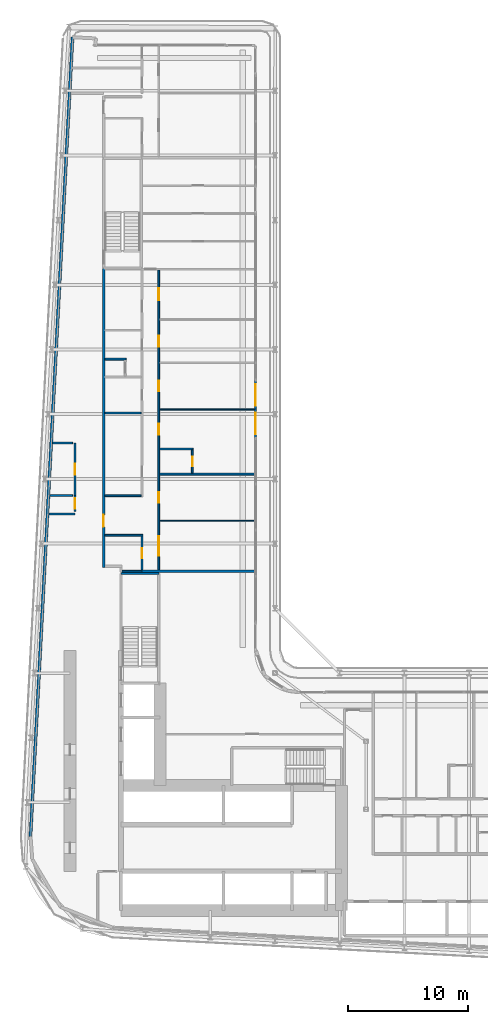
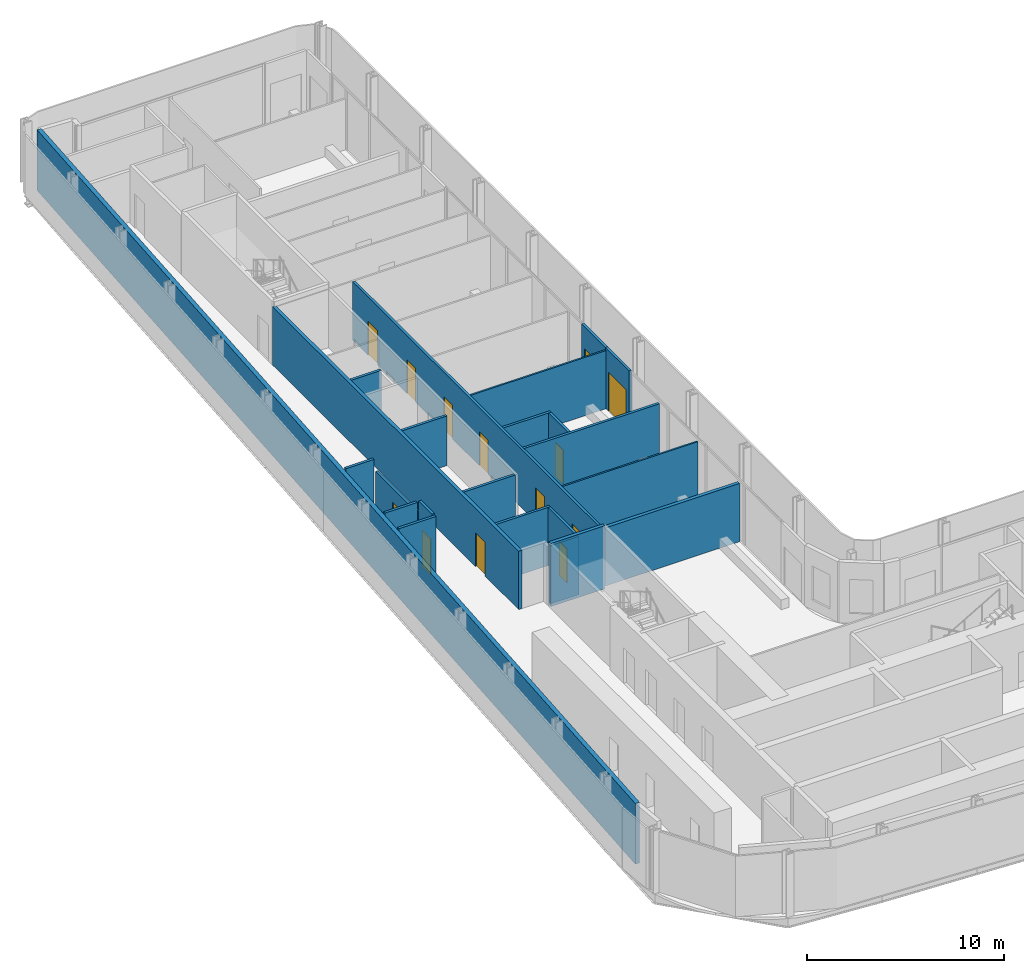
# One storey, part 18 of 29: 23 walls, 13 doors, 13 openings.
"""IFC4 building model written with IfcOpenShell, lengths in metres."""

from ifc_helpers import new_model, si_unit, direction, frame, frame_2d, origin, place, context, subcontext, project, spatial, rectangle, extrude, source, transform, mapped, material, layer, layer_set, type_object, element, fill, save


model = new_model("IFC4")

# Units and contexts
model_context = context("Model", 3, precision=1e-05, world=origin(), true_north=direction((0.0, 1.0)))
body_context = subcontext(model_context, "Body", "Model", "MODEL_VIEW")
ifc_project = project(units=[si_unit("LENGTHUNIT", "METRE"), si_unit("AREAUNIT", "SQUARE_METRE"), si_unit("VOLUMEUNIT", "CUBIC_METRE"), si_unit("PLANEANGLEUNIT", "RADIAN"), si_unit("MASSUNIT", "GRAM", prefix="KILO")], contexts=[model_context])

# Site, building, storey
site_placement = place(None, origin())
site = spatial("IfcSite", under=ifc_project, at=site_placement, CompositionType="ELEMENT")
building_placement = place(site_placement, origin())
building = spatial("IfcBuilding", under=site, at=building_placement, Name="Kheshtan School and Residences Tower", CompositionType="ELEMENT")
storey_placement = place(building_placement, frame((0.0, 0.0, 61.699951171875)))
storey = spatial("IfcBuildingStorey", under=building, at=storey_placement, Name="L14", CompositionType="ELEMENT", Elevation=61.699951171875)

# Wall, opening, door
ifc_material_1 = material(Name="Gypsum board on steel studs with fire boards", Category="steel")
ifc_layer_1 = layer(ifc_material_1, 0.199951171875)
ifc_layer_set_1 = layer_set([ifc_layer_1], Name="Corridor wall 200")
wall_type_1 = type_object("IfcWallType", Name="Corridor wall 200", PredefinedType="PARTITIONING", material=ifc_layer_set_1)
wall_1_placement = place(storey_placement, frame((33.300048828125, 54.39990234375, 0.0), z_axis=(0.0, 0.0, 1.0), x_axis=(0.0, 1.0, 0.0)))
wall_1 = element("IfcWall", 1, at=wall_1_placement, inside=storey, type_object=wall_type_1, Name="Partition L14-003", PredefinedType="PARTITIONING", context=body_context, shape_type="SweptSolid", body=[
    extrude(rectangle(XDim=24.9501953125, YDim=0.199951171875, at=frame_2d((12.47509765625, 0.0))), origin(), (0.0, 0.0, 1.0), 3.60009765625),
])
opening_1_placement = place(wall_1_placement, frame((3.39990234375, 0.0, 0.0)))
opening_1 = element("IfcOpeningElement", 2, at=opening_1_placement, cuts=wall_1, Name="Opening D14-039", PredefinedType="OPENING", context=body_context, shape_type="SweptSolid", body=[
    extrude(rectangle(XDim=1.0, YDim=2.10009765625, at=frame_2d((0.5, 1.050048828125))), frame((0.0, 0.10986328125, 0.0), z_axis=(0.0, -1.0, 0.0), x_axis=(1.0, 0.0, 0.0)), (0.0, 0.0, 1.0), 0.219970703125),
])
ifc_material_2 = material(Name="Steel-framed fire-resisting door leaf", Category="steel")
door_type_1 = type_object("IfcDoorType", Name="Fire door FD30S 1000 x 2100", OperationType="SINGLE_SWING_LEFT", PredefinedType="DOOR", material=ifc_material_2)
shared_shape_1 = source(origin(), body_context, "Body", "SweptSolid", [
    extrude(rectangle(XDim=1.0, YDim=2.10009765625, at=frame_2d((0.5, 1.050048828125))), frame((0.0, 0.02490234375, 0.0), z_axis=(0.0, -1.0, 0.0), x_axis=(1.0, 0.0, 0.0)), (0.0, 0.0, 1.0), 0.050048828125),
])
door_1_placement = place(opening_1_placement, origin())
door_1 = element("IfcDoor", 3, at=door_1_placement, inside=storey, type_object=door_type_1, Name="Door D14-039", OperationType="SINGLE_SWING_RIGHT", OverallHeight=2.10009765625, OverallWidth=1.0, PredefinedType="DOOR", context=body_context, shape_type="MappedRepresentation", body=[
    mapped(shared_shape_1, transform((0.0, 0.0, 0.0), x_axis=(1.0, 0.0, 0.0), y_axis=(0.0, 1.0, 0.0), z_axis=(0.0, 0.0, 1.0), scale=1.0)),
])
fill(opening_1, door_1)

# Wall
ifc_material_3 = material(Name="Concrete C40/50 with ceramic cladding and mineral wool insulation", Category="concrete")
ifc_layer_2 = layer(ifc_material_3, 0.25)
ifc_layer_set_2 = layer_set([ifc_layer_2], Name="External wall 250 ceramic clad")
wall_type_2 = type_object("IfcWallType", Name="External wall 250 ceramic clad", PredefinedType="SOLIDWALL", material=ifc_layer_set_2)
wall_2_placement = place(storey_placement, frame((27.195068359375, 31.968994140625, 0.0), z_axis=(0.0, 0.0, 1.0), x_axis=(0.052554995867, 0.998618031286, 0.0)))
element("IfcWall", 4, at=wall_2_placement, inside=storey, type_object=wall_type_2, Name="External wall L14 4", PredefinedType="SOLIDWALL", context=body_context, shape_type="SweptSolid", body=[
    extrude(rectangle(XDim=66.787353515625, YDim=0.25, at=frame_2d((33.3935546875, 0.0))), origin(), (0.0, 0.0, 1.0), 3.75),
])

# Wall, opening, door
ifc_material_4 = material(Name="Aluminium frame wall with insulated infill", Category="aluminium")
ifc_layer_3 = layer(ifc_material_4, 0.14990234375)
ifc_layer_set_3 = layer_set([ifc_layer_3], Name="Glazing frame wall 150")
wall_type_3 = type_object("IfcWallType", Name="Glazing frame wall 150", PredefinedType="SOLIDWALL", material=ifc_layer_set_3)
wall_3_placement = place(storey_placement, frame((45.97509765625, 70.01806640625, 0.0), z_axis=(0.0, 0.0, 1.0), x_axis=(0.0, -1.0, 0.0)))
wall_3 = element("IfcWall", 5, at=wall_3_placement, inside=storey, type_object=wall_type_3, Name="Balcony door wall L14 8.3", PredefinedType="SOLIDWALL", context=body_context, shape_type="SweptSolid", body=[
    extrude(rectangle(XDim=2.400146484375, YDim=0.14990234375, at=frame_2d((1.2001953125, 0.0))), origin(), (0.0, 0.0, 1.0), 3.75),
])
opening_2_placement = place(wall_3_placement, frame((0.300048828125, 0.0, 0.0)))
opening_2 = element("IfcOpeningElement", 6, at=opening_2_placement, cuts=wall_3, Name="Opening BD", PredefinedType="OPENING", context=body_context, shape_type="SweptSolid", body=[
    extrude(rectangle(XDim=1.800048828125, YDim=2.39990234375, at=frame_2d((0.89990234375, 1.199951171875))), frame((0.0, 0.0849609375, 0.0), z_axis=(0.0, -1.0, 0.0), x_axis=(1.0, 0.0, 0.0)), (0.0, 0.0, 1.0), 0.169921875),
])
ifc_material_5 = material(Name="Clear low-e glass in thermally broken aluminium frame", Category="aluminium")
door_type_2 = type_object("IfcDoorType", Name="Balcony sliding door", OperationType="SLIDING_TO_LEFT", PredefinedType="DOOR", material=ifc_material_5)
shared_shape_2 = source(origin(), body_context, "Body", "SweptSolid", [
    extrude(rectangle(XDim=1.800048828125, YDim=2.39990234375, at=frame_2d((0.89990234375, 1.199951171875))), frame((0.0, 0.02490234375, 0.0), z_axis=(0.0, -1.0, 0.0), x_axis=(1.0, 0.0, 0.0)), (0.0, 0.0, 1.0), 0.050048828125),
])
door_2_placement = place(opening_2_placement, origin())
door_2 = element("IfcDoor", 7, at=door_2_placement, inside=storey, type_object=door_type_2, Name="Balcony door L14 8.3", OperationType="SLIDING_TO_LEFT", OverallHeight=2.39990234375, OverallWidth=1.800048828125, PredefinedType="DOOR", context=body_context, shape_type="MappedRepresentation", body=[
    mapped(shared_shape_2, transform((0.0, 0.0, 0.0), x_axis=(1.0, 0.0, 0.0), y_axis=(0.0, 1.0, 0.0), z_axis=(0.0, 0.0, 1.0), scale=1.0)),
])
fill(opening_2, door_2)

wall_4_placement = place(storey_placement, frame((45.97509765625, 67.617919921875, 0.0), z_axis=(0.0, 0.0, 1.0), x_axis=(0.0, -1.0, 0.0)))
wall_4 = element("IfcWall", 8, at=wall_4_placement, inside=storey, type_object=wall_type_3, Name="Balcony door wall L14 8.4", PredefinedType="SOLIDWALL", context=body_context, shape_type="SweptSolid", body=[
    extrude(rectangle(XDim=2.39990234375, YDim=0.14990234375, at=frame_2d((1.199951171875, 0.0))), origin(), (0.0, 0.0, 1.0), 3.75),
])
opening_3_placement = place(wall_4_placement, frame((0.300048828125, 0.0, 0.0)))
opening_3 = element("IfcOpeningElement", 9, at=opening_3_placement, cuts=wall_4, Name="Opening BD", PredefinedType="OPENING", context=body_context, shape_type="SweptSolid", body=[
    extrude(rectangle(XDim=1.800048828125, YDim=2.39990234375, at=frame_2d((0.89990234375, 1.199951171875))), frame((0.0, 0.0849609375, 0.0), z_axis=(0.0, -1.0, 0.0), x_axis=(1.0, 0.0, 0.0)), (0.0, 0.0, 1.0), 0.169921875),
])
door_3_placement = place(opening_3_placement, origin())
door_3 = element("IfcDoor", 10, at=door_3_placement, inside=storey, type_object=door_type_2, Name="Balcony door L14 8.4", OperationType="SLIDING_TO_LEFT", OverallHeight=2.39990234375, OverallWidth=1.800048828125, PredefinedType="DOOR", context=body_context, shape_type="MappedRepresentation", body=[
    mapped(shared_shape_2, transform((0.0, 0.0, 0.0), x_axis=(1.0, 0.0, 0.0), y_axis=(0.0, 1.0, 0.0), z_axis=(0.0, 0.0, 1.0), scale=1.0)),
])
fill(opening_3, door_3)

# Walls
ifc_material_6 = material(Name="Gypsum board on steel studs", Category="steel")
ifc_layer_4 = layer(ifc_material_6, 0.10009765625)
ifc_layer_set_4 = layer_set([ifc_layer_4], Name="Gypsum partition 100")
wall_type_4 = type_object("IfcWallType", Name="Gypsum partition 100", PredefinedType="PARTITIONING", material=ifc_layer_set_4)
for number, where, z_axis, x_axis, name in (
    (11, (37.97509765625, 58.300048828125, 0.0), (0.0, 0.0, 1.0), (1.0, 0.0, 0.0), "Partition L14-030"),
    (12, (37.97509765625, 67.60009765625, 0.0), (0.0, 0.0, 1.0), (1.0, 0.0, 0.0), "Partition L14-033"),
):
    element("IfcWall", number, at=place(storey_placement, frame(where, z_axis=z_axis, x_axis=x_axis)), inside=storey, type_object=wall_type_4, Name=name, PredefinedType="PARTITIONING", context=body_context, shape_type="SweptSolid", body=[
        extrude(rectangle(XDim=7.9248046875, YDim=0.10009765625, at=frame_2d((3.96240234375, 0.0))), origin(), (0.0, 0.0, 1.0), 3.60009765625),
    ])
ifc_material_7 = material(Name="Fire-board shaft wall system")
ifc_layer_5 = layer(ifc_material_7, 0.14990234375)
ifc_layer_set_5 = layer_set([ifc_layer_5], Name="Service room wall 150")
wall_type_5 = type_object("IfcWallType", Name="Service room wall 150", PredefinedType="PARTITIONING", material=ifc_layer_set_5)
wall_5_placement = place(storey_placement, frame((28.738037109375, 58.8720703125, 0.0), z_axis=(0.0, 0.0, 1.0), x_axis=(1.0, 0.0, 0.0)))
element("IfcWall", 13, at=wall_5_placement, inside=storey, type_object=wall_type_5, Name="Service room wall", PredefinedType="PARTITIONING", context=body_context, shape_type="SweptSolid", body=[
    extrude(rectangle(XDim=2.161865234375, YDim=0.14990234375, at=frame_2d((1.0810546875, 0.0))), origin(), (0.0, 0.0, 1.0), 3.900146484375),
])

# Wall, opening, door
wall_6_placement = place(storey_placement, frame((30.89990234375, 59.06689453125, 0.0), z_axis=(0.0, 0.0, 1.0), x_axis=(0.0, 1.0, 0.0)))
wall_6 = element("IfcWall", 14, at=wall_6_placement, inside=storey, type_object=wall_type_5, Name="Service room wall", PredefinedType="PARTITIONING", context=body_context, shape_type="SweptSolid", body=[
    extrude(rectangle(XDim=1.34716796875, YDim=0.14990234375, at=frame_2d((0.673583984375, 0.0))), origin(), (0.0, 0.0, 1.0), 3.900146484375),
])
opening_4_placement = place(wall_6_placement, frame((0.22607421875, 0.0, 0.0)))
opening_4 = element("IfcOpeningElement", 15, at=opening_4_placement, cuts=wall_6, Name="Opening SR90", PredefinedType="OPENING", context=body_context, shape_type="SweptSolid", body=[
    extrude(rectangle(XDim=0.89990234375, YDim=2.199951171875, at=frame_2d((0.449951171875, 1.10009765625))), frame((0.0, 0.0849609375, 0.0), z_axis=(0.0, -1.0, 0.0), x_axis=(1.0, 0.0, 0.0)), (0.0, 0.0, 1.0), 0.169921875),
])
ifc_material_8 = material(Name="Steel door leaf, galvanised", Category="steel")
door_type_3 = type_object("IfcDoorType", Name="Service room door 900 steel 90 min", OperationType="SINGLE_SWING_LEFT", PredefinedType="DOOR", material=ifc_material_8)
shared_shape_3 = source(origin(), body_context, "Body", "SweptSolid", [
    extrude(rectangle(XDim=0.89990234375, YDim=2.199951171875, at=frame_2d((0.449951171875, 1.10009765625))), frame((0.0, 0.02490234375, 0.0), z_axis=(0.0, -1.0, 0.0), x_axis=(1.0, 0.0, 0.0)), (0.0, 0.0, 1.0), 0.050048828125),
])
door_4_placement = place(opening_4_placement, origin())
door_4 = element("IfcDoor", 16, at=door_4_placement, inside=storey, type_object=door_type_3, Name="Service room door", OperationType="SINGLE_SWING_LEFT", OverallHeight=2.199951171875, OverallWidth=0.89990234375, PredefinedType="DOOR", context=body_context, shape_type="MappedRepresentation", body=[
    mapped(shared_shape_3, transform((0.0, 0.0, 0.0), x_axis=(1.0, 0.0, 0.0), y_axis=(0.0, 1.0, 0.0), z_axis=(0.0, 0.0, 1.0), scale=1.0)),
])
fill(opening_4, door_4)

# Wall
wall_7_placement = place(storey_placement, frame((28.820068359375, 60.4140625, 0.0), z_axis=(0.0, 0.0, 1.0), x_axis=(1.0, 0.0, 0.0)))
element("IfcWall", 17, at=wall_7_placement, inside=storey, type_object=wall_type_5, Name="Service room wall", PredefinedType="PARTITIONING", context=body_context, shape_type="SweptSolid", body=[
    extrude(rectangle(XDim=1.885009765625, YDim=0.14990234375, at=frame_2d((0.9423828125, 0.0))), origin(), (0.0, 0.0, 1.0), 3.900146484375),
])

# Wall, opening, door
wall_8_placement = place(storey_placement, frame((30.89990234375, 60.4140625, 0.0), z_axis=(0.0, 0.0, 1.0), x_axis=(0.0, 1.0, 0.0)))
wall_8 = element("IfcWall", 18, at=wall_8_placement, inside=storey, type_object=wall_type_5, Name="Service room wall", PredefinedType="PARTITIONING", context=body_context, shape_type="SweptSolid", body=[
    extrude(rectangle(XDim=4.385986328125, YDim=0.14990234375, at=frame_2d((2.19287109375, 0.0))), origin(), (0.0, 0.0, 1.0), 3.072021484375),
])
opening_5_placement = place(wall_8_placement, frame((1.742919921875, 0.0, 0.0)))
opening_5 = element("IfcOpeningElement", 19, at=opening_5_placement, cuts=wall_8, Name="Opening SR90", PredefinedType="OPENING", context=body_context, shape_type="SweptSolid", body=[
    extrude(rectangle(XDim=0.89990234375, YDim=2.199951171875, at=frame_2d((0.449951171875, 1.10009765625))), frame((0.0, 0.0849609375, 0.0), z_axis=(0.0, -1.0, 0.0), x_axis=(1.0, 0.0, 0.0)), (0.0, 0.0, 1.0), 0.169921875),
])
door_5_placement = place(opening_5_placement, origin())
door_5 = element("IfcDoor", 20, at=door_5_placement, inside=storey, type_object=door_type_3, Name="Service room door", OperationType="SINGLE_SWING_LEFT", OverallHeight=2.199951171875, OverallWidth=0.89990234375, PredefinedType="DOOR", context=body_context, shape_type="MappedRepresentation", body=[
    mapped(shared_shape_3, transform((0.0, 0.0, 0.0), x_axis=(1.0, 0.0, 0.0), y_axis=(0.0, 1.0, 0.0), z_axis=(0.0, 0.0, 1.0), scale=1.0)),
])
fill(opening_5, door_5)

# Walls
wall_9_placement = place(storey_placement, frame((29.050048828125, 64.800048828125, 0.0), z_axis=(0.0, 0.0, 1.0), x_axis=(1.0, 0.0, 0.0)))
element("IfcWall", 21, at=wall_9_placement, inside=storey, type_object=wall_type_5, Name="Service room wall", PredefinedType="PARTITIONING", context=body_context, shape_type="SweptSolid", body=[
    extrude(rectangle(XDim=1.655029296875, YDim=0.14990234375, at=frame_2d((0.82763671875, 0.0))), origin(), (0.0, 0.0, 1.0), 3.900146484375),
])
ifc_material_9 = material(Name="Concrete C40/50", Category="concrete")
ifc_layer_6 = layer(ifc_material_9, 0.199951171875)
ifc_layer_set_6 = layer_set([ifc_layer_6], Name="Stair enclosure wall 200 Concrete C40/50")
wall_type_6 = type_object("IfcWallType", Name="Stair enclosure wall 200 Concrete C40/50", PredefinedType="SHEAR", material=ifc_layer_set_6)
wall_10_placement = place(storey_placement, frame((34.75, 53.909912109375, 0.0), z_axis=(0.0, 0.0, 1.0), x_axis=(1.0, 0.0, 0.0)))
element("IfcWall", 22, at=wall_10_placement, inside=storey, type_object=wall_type_6, Name="Stair enclosure wall ST2", PredefinedType="SHEAR", context=body_context, shape_type="SweptSolid", body=[
    extrude(rectangle(XDim=3.14990234375, YDim=0.199951171875, at=frame_2d((1.574951171875, 0.0))), origin(), (0.0, 0.0, 1.0), 3.900146484375),
])
ifc_material_10 = material(Name="Twin gypsum board on steel studs with mineral wool", Category="steel")
ifc_layer_7 = layer(ifc_material_10, 0.199951171875)
ifc_layer_set_7 = layer_set([ifc_layer_7], Name="Unit demising wall 200")
wall_type_7 = type_object("IfcWallType", Name="Unit demising wall 200", PredefinedType="PARTITIONING", material=ifc_layer_set_7)
wall_11_placement = place(storey_placement, frame((36.5, 54.10009765625, 0.0), z_axis=(0.0, 0.0, 1.0), x_axis=(1.0, 0.0, 0.0)))
element("IfcWall", 23, at=wall_11_placement, inside=storey, type_object=wall_type_7, Name="Partition L14-019", PredefinedType="PARTITIONING", context=body_context, shape_type="SweptSolid", body=[
    extrude(rectangle(XDim=9.39990234375, YDim=0.199951171875, at=frame_2d((4.699951171875, 0.0))), origin(), (0.0, 0.0, 1.0), 3.60009765625),
])
ifc_material_11 = material(Name="Moisture-resistant gypsum board on steel studs", Category="steel")
ifc_layer_8 = layer(ifc_material_11, 0.14990234375)
ifc_layer_set_8 = layer_set([ifc_layer_8], Name="Wet-room partition 150")
wall_type_8 = type_object("IfcWallType", Name="Wet-room partition 150", PredefinedType="PARTITIONING", material=ifc_layer_set_8)
wall_12_placement = place(storey_placement, frame((33.39990234375, 57.10009765625, 0.0), z_axis=(0.0, 0.0, 1.0), x_axis=(1.0, 0.0, 0.0)))
element("IfcWall", 24, at=wall_12_placement, inside=storey, type_object=wall_type_8, Name="Partition L14-006", PredefinedType="PARTITIONING", context=body_context, shape_type="SweptSolid", body=[
    extrude(rectangle(XDim=3.175048828125, YDim=0.14990234375, at=frame_2d((1.58740234375, 0.0))), origin(), (0.0, 0.0, 1.0), 3.60009765625),
])
wall_13_placement = place(storey_placement, frame((33.39990234375, 60.39990234375, 0.0), z_axis=(0.0, 0.0, 1.0), x_axis=(1.0, 0.0, 0.0)))
element("IfcWall", 25, at=wall_13_placement, inside=storey, type_object=wall_type_8, Name="Partition L14-007", PredefinedType="PARTITIONING", context=body_context, shape_type="SweptSolid", body=[
    extrude(rectangle(XDim=3.025146484375, YDim=0.14990234375, at=frame_2d((1.5126953125, 0.0))), origin(), (0.0, 0.0, 1.0), 3.60009765625),
])
wall_14_placement = place(storey_placement, frame((33.39990234375, 67.300048828125, 0.0), z_axis=(0.0, 0.0, 1.0), x_axis=(1.0, 0.0, 0.0)))
element("IfcWall", 26, at=wall_14_placement, inside=storey, type_object=wall_type_8, Name="Partition L14-008", PredefinedType="PARTITIONING", context=body_context, shape_type="SweptSolid", body=[
    extrude(rectangle(XDim=3.025146484375, YDim=0.14990234375, at=frame_2d((1.5126953125, 0.0))), origin(), (0.0, 0.0, 1.0), 3.072021484375),
])
wall_15_placement = place(storey_placement, frame((33.39990234375, 71.800048828125, 0.0), z_axis=(0.0, 0.0, 1.0), x_axis=(1.0, 0.0, 0.0)))
element("IfcWall", 27, at=wall_15_placement, inside=storey, type_object=wall_type_8, Name="Partition L14-010", PredefinedType="PARTITIONING", context=body_context, shape_type="SweptSolid", body=[
    extrude(rectangle(XDim=1.775146484375, YDim=0.14990234375, at=frame_2d((0.8876953125, 0.0))), origin(), (0.0, 0.0, 1.0), 3.60009765625),
])
wall_16_placement = place(storey_placement, frame((34.85009765625, 54.10009765625, 0.0), z_axis=(0.0, 0.0, 1.0), x_axis=(1.0, 0.0, 0.0)))
element("IfcWall", 28, at=wall_16_placement, inside=storey, type_object=wall_type_8, Name="Partition L14-016", PredefinedType="PARTITIONING", context=body_context, shape_type="SweptSolid", body=[
    extrude(rectangle(XDim=1.64990234375, YDim=0.14990234375, at=frame_2d((0.824951171875, 0.0))), origin(), (0.0, 0.0, 1.0), 3.60009765625),
])

# Wall, opening, door
wall_17_placement = place(storey_placement, frame((36.5, 54.199951171875, 0.0), z_axis=(0.0, 0.0, 1.0), x_axis=(0.0, 1.0, 0.0)))
wall_17 = element("IfcWall", 29, at=wall_17_placement, inside=storey, type_object=wall_type_8, Name="Partition L14-020", PredefinedType="PARTITIONING", context=body_context, shape_type="SweptSolid", body=[
    extrude(rectangle(XDim=2.824951171875, YDim=0.14990234375, at=frame_2d((1.41259765625, 0.0))), origin(), (0.0, 0.0, 1.0), 3.60009765625),
])
opening_6_placement = place(wall_17_placement, frame((1.0, 0.0, 0.0)))
opening_6 = element("IfcOpeningElement", 30, at=opening_6_placement, cuts=wall_17, Name="Opening D14-033", PredefinedType="OPENING", context=body_context, shape_type="SweptSolid", body=[
    extrude(rectangle(XDim=0.800048828125, YDim=2.10009765625, at=frame_2d((0.39990234375, 1.050048828125))), frame((0.0, 0.0849609375, 0.0), z_axis=(0.0, -1.0, 0.0), x_axis=(1.0, 0.0, 0.0)), (0.0, 0.0, 1.0), 0.169921875),
])
ifc_material_12 = material(Name="Veneered timber door leaf", Category="wood")
door_type_4 = type_object("IfcDoorType", Name="Door 800 x 2100", OperationType="SINGLE_SWING_LEFT", PredefinedType="DOOR", material=ifc_material_12)
shared_shape_4 = source(origin(), body_context, "Body", "SweptSolid", [
    extrude(rectangle(XDim=0.800048828125, YDim=2.10009765625, at=frame_2d((0.39990234375, 1.050048828125))), frame((0.0, 0.02490234375, 0.0), z_axis=(0.0, -1.0, 0.0), x_axis=(1.0, 0.0, 0.0)), (0.0, 0.0, 1.0), 0.050048828125),
])
door_6_placement = place(opening_6_placement, origin())
door_6 = element("IfcDoor", 31, at=door_6_placement, inside=storey, type_object=door_type_4, Name="Door D14-033", OperationType="SINGLE_SWING_RIGHT", OverallHeight=2.10009765625, OverallWidth=0.800048828125, PredefinedType="DOOR", context=body_context, shape_type="MappedRepresentation", body=[
    mapped(shared_shape_4, transform((0.0, 0.0, 0.0), x_axis=(1.0, 0.0, 0.0), y_axis=(0.0, 1.0, 0.0), z_axis=(0.0, 0.0, 1.0), scale=1.0)),
])
fill(opening_6, door_6)

# Wall, openings, doors
wall_18_placement = place(storey_placement, frame((37.89990234375, 54.199951171875, 0.0), z_axis=(0.0, 0.0, 1.0), x_axis=(0.0, 1.0, 0.0)))
wall_18 = element("IfcWall", 32, at=wall_18_placement, inside=storey, type_object=wall_type_8, Name="Partition L14-027", PredefinedType="PARTITIONING", context=body_context, shape_type="SweptSolid", body=[
    extrude(rectangle(XDim=25.050048828125, YDim=0.14990234375, at=frame_2d((12.52490234375, 0.0))), origin(), (0.0, 0.0, 1.0), 3.60009765625),
])
opening_7_placement = place(wall_18_placement, frame((5.60009765625, 0.0, 0.0)))
opening_7 = element("IfcOpeningElement", 33, at=opening_7_placement, cuts=wall_18, Name="Opening D14-035", PredefinedType="OPENING", context=body_context, shape_type="SweptSolid", body=[
    extrude(rectangle(XDim=0.89990234375, YDim=2.10009765625, at=frame_2d((0.449951171875, 1.050048828125))), frame((0.0, 0.0849609375, 0.0), z_axis=(0.0, -1.0, 0.0), x_axis=(1.0, 0.0, 0.0)), (0.0, 0.0, 1.0), 0.169921875),
])
opening_8_placement = place(wall_18_placement, frame((14.89990234375, 0.0, 0.0)))
opening_8 = element("IfcOpeningElement", 34, at=opening_8_placement, cuts=wall_18, Name="Opening D14-036", PredefinedType="OPENING", context=body_context, shape_type="SweptSolid", body=[
    extrude(rectangle(XDim=0.89990234375, YDim=2.10009765625, at=frame_2d((0.449951171875, 1.050048828125))), frame((0.0, 0.0849609375, 0.0), z_axis=(0.0, -1.0, 0.0), x_axis=(1.0, 0.0, 0.0)), (0.0, 0.0, 1.0), 0.169921875),
])
opening_9_placement = place(wall_18_placement, frame((18.64990234375, 0.0, 0.0)))
opening_9 = element("IfcOpeningElement", 35, at=opening_9_placement, cuts=wall_18, Name="Opening D14-037", PredefinedType="OPENING", context=body_context, shape_type="SweptSolid", body=[
    extrude(rectangle(XDim=0.89990234375, YDim=2.10009765625, at=frame_2d((0.449951171875, 1.050048828125))), frame((0.0, 0.0849609375, 0.0), z_axis=(0.0, -1.0, 0.0), x_axis=(1.0, 0.0, 0.0)), (0.0, 0.0, 1.0), 0.169921875),
])
opening_10_placement = place(wall_18_placement, frame((22.5, 0.0, 0.0)))
opening_10 = element("IfcOpeningElement", 36, at=opening_10_placement, cuts=wall_18, Name="Opening D14-041", PredefinedType="OPENING", context=body_context, shape_type="SweptSolid", body=[
    extrude(rectangle(XDim=1.0, YDim=2.10009765625, at=frame_2d((0.5, 1.050048828125))), frame((0.0, 0.0849609375, 0.0), z_axis=(0.0, -1.0, 0.0), x_axis=(1.0, 0.0, 0.0)), (0.0, 0.0, 1.0), 0.169921875),
])
opening_11_placement = place(wall_18_placement, frame((1.199951171875, 0.0, 0.0)))
opening_11 = element("IfcOpeningElement", 37, at=opening_11_placement, cuts=wall_18, Name="Opening D14-044", PredefinedType="OPENING", context=body_context, shape_type="SweptSolid", body=[
    extrude(rectangle(XDim=1.60009765625, YDim=2.10009765625, at=frame_2d((0.800048828125, 1.050048828125))), frame((0.0, 0.0849609375, 0.0), z_axis=(0.0, -1.0, 0.0), x_axis=(1.0, 0.0, 0.0)), (0.0, 0.0, 1.0), 0.169921875),
])
opening_12_placement = place(wall_18_placement, frame((11.300048828125, 0.0, 0.0)))
opening_12 = element("IfcOpeningElement", 38, at=opening_12_placement, cuts=wall_18, Name="Opening D14-045", PredefinedType="OPENING", context=body_context, shape_type="SweptSolid", body=[
    extrude(rectangle(XDim=0.89990234375, YDim=2.10009765625, at=frame_2d((0.449951171875, 1.050048828125))), frame((0.0, 0.0849609375, 0.0), z_axis=(0.0, -1.0, 0.0), x_axis=(1.0, 0.0, 0.0)), (0.0, 0.0, 1.0), 0.169921875),
])
door_type_5 = type_object("IfcDoorType", Name="Door 1000 x 2100", OperationType="SINGLE_SWING_LEFT", PredefinedType="DOOR", material=ifc_material_12)
shared_shape_5 = source(origin(), body_context, "Body", "SweptSolid", [
    extrude(rectangle(XDim=1.0, YDim=2.10009765625, at=frame_2d((0.5, 1.050048828125))), frame((0.0, 0.02490234375, 0.0), z_axis=(0.0, -1.0, 0.0), x_axis=(1.0, 0.0, 0.0)), (0.0, 0.0, 1.0), 0.050048828125),
])
door_7_placement = place(opening_10_placement, origin())
door_7 = element("IfcDoor", 39, at=door_7_placement, inside=storey, type_object=door_type_5, Name="Door D14-041", OperationType="SINGLE_SWING_RIGHT", OverallHeight=2.10009765625, OverallWidth=1.0, PredefinedType="DOOR", context=body_context, shape_type="MappedRepresentation", body=[
    mapped(shared_shape_5, transform((0.0, 0.0, 0.0), x_axis=(1.0, 0.0, 0.0), y_axis=(0.0, 1.0, 0.0), z_axis=(0.0, 0.0, 1.0), scale=1.0)),
])
fill(opening_10, door_7)
door_type_6 = type_object("IfcDoorType", Name="Door 900 x 2100", OperationType="SINGLE_SWING_LEFT", PredefinedType="DOOR", material=ifc_material_12)
shared_shape_6 = source(origin(), body_context, "Body", "SweptSolid", [
    extrude(rectangle(XDim=0.89990234375, YDim=2.10009765625, at=frame_2d((0.449951171875, 1.050048828125))), frame((0.0, 0.02490234375, 0.0), z_axis=(0.0, -1.0, 0.0), x_axis=(1.0, 0.0, 0.0)), (0.0, 0.0, 1.0), 0.050048828125),
])
door_8_placement = place(opening_7_placement, origin())
door_8 = element("IfcDoor", 40, at=door_8_placement, inside=storey, type_object=door_type_6, Name="Door D14-035", OperationType="SINGLE_SWING_LEFT", OverallHeight=2.10009765625, OverallWidth=0.89990234375, PredefinedType="DOOR", context=body_context, shape_type="MappedRepresentation", body=[
    mapped(shared_shape_6, transform((0.0, 0.0, 0.0), x_axis=(1.0, 0.0, 0.0), y_axis=(0.0, 1.0, 0.0), z_axis=(0.0, 0.0, 1.0), scale=1.0)),
])
fill(opening_7, door_8)
door_9_placement = place(opening_8_placement, origin())
door_9 = element("IfcDoor", 41, at=door_9_placement, inside=storey, type_object=door_type_6, Name="Door D14-036", OperationType="SINGLE_SWING_RIGHT", OverallHeight=2.10009765625, OverallWidth=0.89990234375, PredefinedType="DOOR", context=body_context, shape_type="MappedRepresentation", body=[
    mapped(shared_shape_6, transform((0.0, 0.0, 0.0), x_axis=(1.0, 0.0, 0.0), y_axis=(0.0, 1.0, 0.0), z_axis=(0.0, 0.0, 1.0), scale=1.0)),
])
fill(opening_8, door_9)
door_10_placement = place(opening_9_placement, origin())
door_10 = element("IfcDoor", 42, at=door_10_placement, inside=storey, type_object=door_type_6, Name="Door D14-037", OperationType="SINGLE_SWING_LEFT", OverallHeight=2.10009765625, OverallWidth=0.89990234375, PredefinedType="DOOR", context=body_context, shape_type="MappedRepresentation", body=[
    mapped(shared_shape_6, transform((0.0, 0.0, 0.0), x_axis=(1.0, 0.0, 0.0), y_axis=(0.0, 1.0, 0.0), z_axis=(0.0, 0.0, 1.0), scale=1.0)),
])
fill(opening_9, door_10)
door_11_placement = place(opening_12_placement, origin())
door_11 = element("IfcDoor", 43, at=door_11_placement, inside=storey, type_object=door_type_6, Name="Door D14-045", OperationType="SINGLE_SWING_RIGHT", OverallHeight=2.10009765625, OverallWidth=0.89990234375, PredefinedType="DOOR", context=body_context, shape_type="MappedRepresentation", body=[
    mapped(shared_shape_6, transform((0.0, 0.0, 0.0), x_axis=(1.0, 0.0, 0.0), y_axis=(0.0, 1.0, 0.0), z_axis=(0.0, 0.0, 1.0), scale=1.0)),
])
fill(opening_12, door_11)
door_type_7 = type_object("IfcDoorType", Name="Double door 1600 x 2100", OperationType="DOUBLE_DOOR_SINGLE_SWING", PredefinedType="DOOR", material=ifc_material_12)
shared_shape_7 = source(origin(), body_context, "Body", "SweptSolid", [
    extrude(rectangle(XDim=1.60009765625, YDim=2.10009765625, at=frame_2d((0.800048828125, 1.050048828125))), frame((0.0, 0.02490234375, 0.0), z_axis=(0.0, -1.0, 0.0), x_axis=(1.0, 0.0, 0.0)), (0.0, 0.0, 1.0), 0.050048828125),
])
door_12_placement = place(opening_11_placement, origin())
door_12 = element("IfcDoor", 44, at=door_12_placement, inside=storey, type_object=door_type_7, Name="Door D14-044", OperationType="DOUBLE_DOOR_SINGLE_SWING", OverallHeight=2.10009765625, OverallWidth=1.60009765625, PredefinedType="DOOR", context=body_context, shape_type="MappedRepresentation", body=[
    mapped(shared_shape_7, transform((0.0, 0.0, 0.0), x_axis=(1.0, 0.0, 0.0), y_axis=(0.0, 1.0, 0.0), z_axis=(0.0, 0.0, 1.0), scale=1.0)),
])
fill(opening_11, door_12)

# Walls
wall_19_placement = place(storey_placement, frame((37.97509765625, 62.199951171875, 0.0), z_axis=(0.0, 0.0, 1.0), x_axis=(1.0, 0.0, 0.0)))
element("IfcWall", 45, at=wall_19_placement, inside=storey, type_object=wall_type_8, Name="Partition L14-031", PredefinedType="PARTITIONING", context=body_context, shape_type="SweptSolid", body=[
    extrude(rectangle(XDim=7.9248046875, YDim=0.14990234375, at=frame_2d((3.96240234375, 0.0))), origin(), (0.0, 0.0, 1.0), 3.60009765625),
])
wall_20_placement = place(storey_placement, frame((37.97509765625, 64.300048828125, 0.0), z_axis=(0.0, 0.0, 1.0), x_axis=(1.0, 0.0, 0.0)))
element("IfcWall", 46, at=wall_20_placement, inside=storey, type_object=wall_type_8, Name="Partition L14-032", PredefinedType="PARTITIONING", context=body_context, shape_type="SweptSolid", body=[
    extrude(rectangle(XDim=2.7998046875, YDim=0.14990234375, at=frame_2d((1.39990234375, 0.0))), origin(), (0.0, 0.0, 1.0), 3.60009765625),
])

# Wall, opening, door
wall_21_placement = place(storey_placement, frame((40.699951171875, 62.27490234375, 0.0), z_axis=(0.0, 0.0, 1.0), x_axis=(0.0, 1.0, 0.0)))
wall_21 = element("IfcWall", 47, at=wall_21_placement, inside=storey, type_object=wall_type_8, Name="Partition L14-037", PredefinedType="PARTITIONING", context=body_context, shape_type="SweptSolid", body=[
    extrude(rectangle(XDim=1.9501953125, YDim=0.14990234375, at=frame_2d((0.97509765625, 0.0))), origin(), (0.0, 0.0, 1.0), 3.60009765625),
])
opening_13_placement = place(wall_21_placement, frame((0.574951171875, 0.0, 0.0)))
opening_13 = element("IfcOpeningElement", 48, at=opening_13_placement, cuts=wall_21, Name="Opening D14-038", PredefinedType="OPENING", context=body_context, shape_type="SweptSolid", body=[
    extrude(rectangle(XDim=0.800048828125, YDim=2.10009765625, at=frame_2d((0.39990234375, 1.050048828125))), frame((0.0, 0.0849609375, 0.0), z_axis=(0.0, -1.0, 0.0), x_axis=(1.0, 0.0, 0.0)), (0.0, 0.0, 1.0), 0.169921875),
])
door_13_placement = place(opening_13_placement, origin())
door_13 = element("IfcDoor", 49, at=door_13_placement, inside=storey, type_object=door_type_4, Name="Door D14-038", OperationType="SINGLE_SWING_RIGHT", OverallHeight=2.10009765625, OverallWidth=0.800048828125, PredefinedType="DOOR", context=body_context, shape_type="MappedRepresentation", body=[
    mapped(shared_shape_4, transform((0.0, 0.0, 0.0), x_axis=(1.0, 0.0, 0.0), y_axis=(0.0, 1.0, 0.0), z_axis=(0.0, 0.0, 1.0), scale=1.0)),
])
fill(opening_13, door_13)

save(model, "model.ifc")
